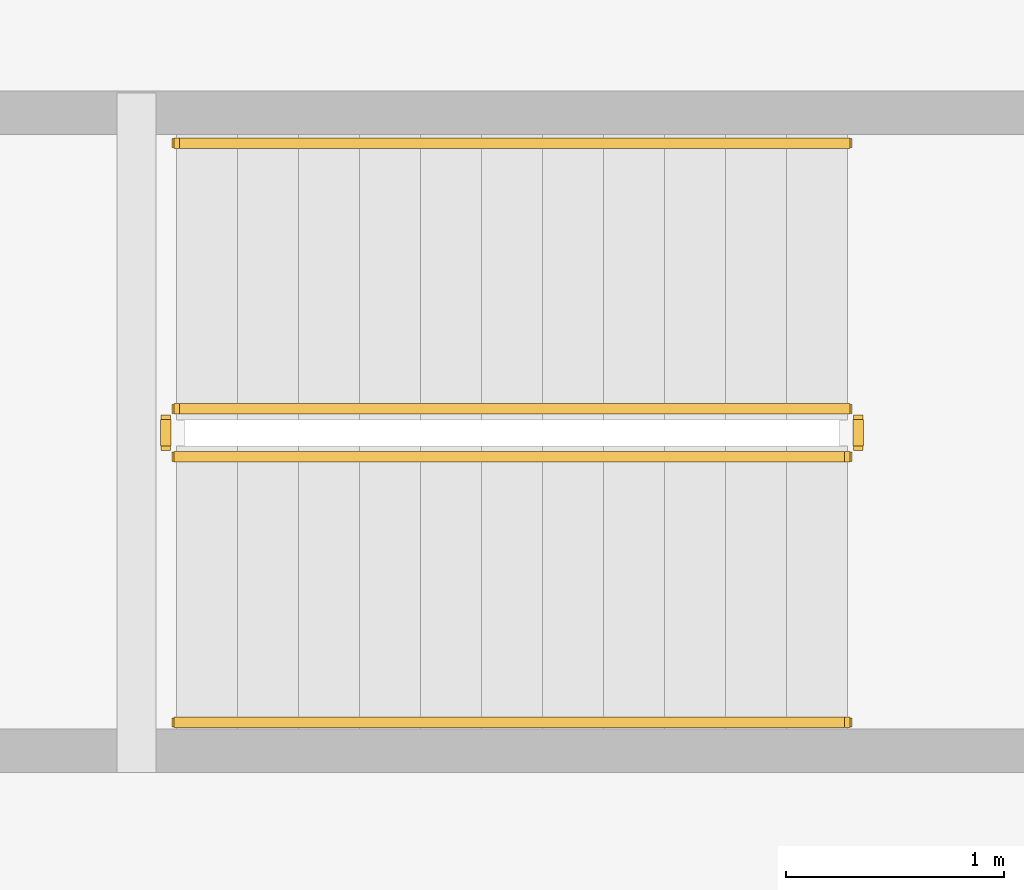
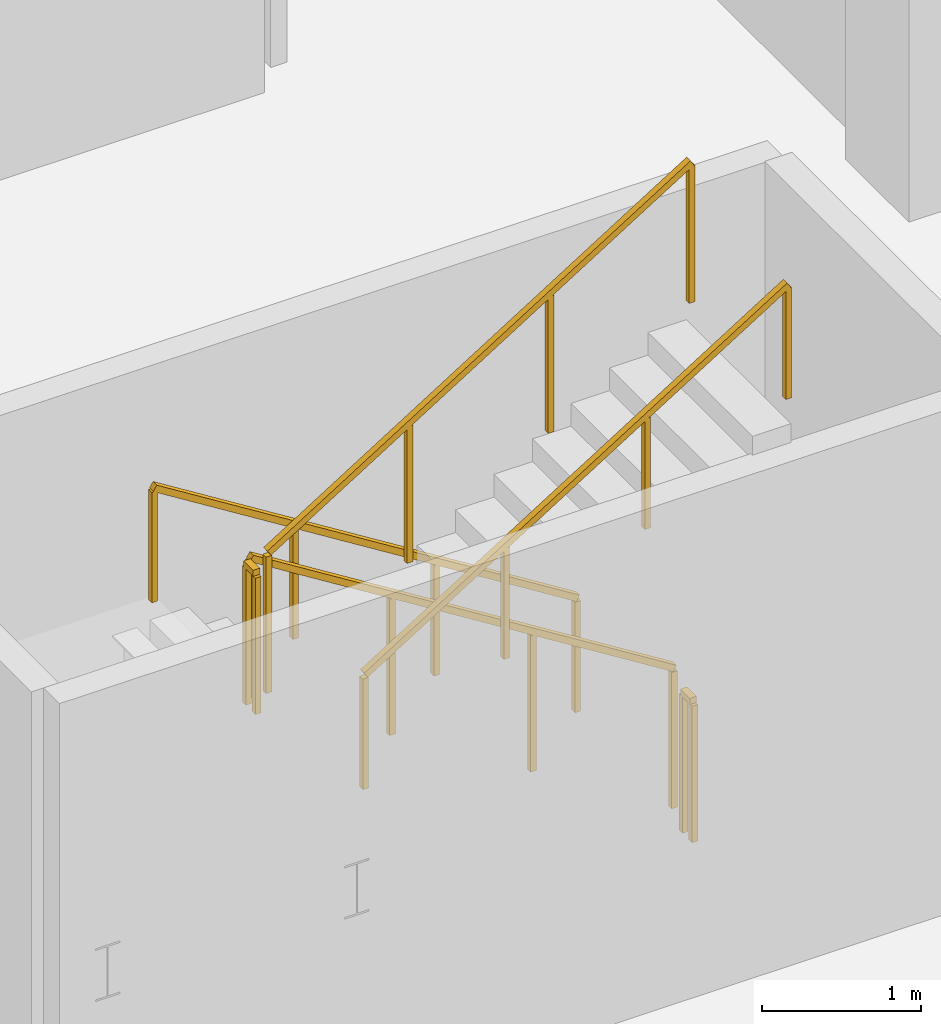
# One storey, part 17 of 21: 6 railings.
"""IFC4 building model written with IfcOpenShell, lengths in metres."""

from ifc_helpers import new_model, si_unit, direction, frame, origin, origin_2d, place, context, subcontext, project, spatial, rectangle, extrude, material, type_object, element, save


model = new_model("IFC4")

# Units and contexts
model_context = context("Model", 3, precision=1e-05, world=origin(), true_north=direction((0.0, 1.0)))
body_context = subcontext(model_context, "Body", "Model", "MODEL_VIEW")
ifc_project = project(units=[si_unit("LENGTHUNIT", "METRE"), si_unit("AREAUNIT", "SQUARE_METRE"), si_unit("VOLUMEUNIT", "CUBIC_METRE"), si_unit("PLANEANGLEUNIT", "RADIAN"), si_unit("MASSUNIT", "GRAM", prefix="KILO")], contexts=[model_context])

# Site, building, storey
site_placement = place(None, origin())
site = spatial("IfcSite", under=ifc_project, at=site_placement, CompositionType="ELEMENT")
building_placement = place(site_placement, origin())
building = spatial("IfcBuilding", under=site, at=building_placement, Name="Qhalaya Broadcast Tower", CompositionType="ELEMENT")
storey_placement = place(building_placement, frame((0.0, 0.0, 9.300048828125)))
storey = spatial("IfcBuildingStorey", under=building, at=storey_placement, Name="L02", CompositionType="ELEMENT", Elevation=9.300048828125)

# Railings
ifc_material = material(Name="Powder-Coated Galvanised Steel", Category="steel")
railing_type_1 = type_object("IfcRailingType", Name="Stair Wall Handrail 900", PredefinedType="HANDRAIL", material=ifc_material)
railing_1_placement = place(storey_placement, frame((-14.39990234375, -0.389892578125, 0.175048828125)))
element("IfcRailing", 1, at=railing_1_placement, inside=storey, type_object=railing_type_1, Name="L02 ST-P1 Stair Handrail 1", PredefinedType="HANDRAIL", context=body_context, shape_type="SweptSolid", body=[
    extrude(rectangle(XDim=0.048095703125, YDim=0.048095703125, at=origin_2d()), frame((0.0, 0.0, 0.8759765625), z_axis=(-0.848028513186, 0.0, 0.529950602248), x_axis=(0.0, -1.0, 0.0)), (0.0, 0.0, 1.0), 3.632080078125),
    extrude(rectangle(XDim=0.0419921875, YDim=0.0419921875, at=origin_2d()), origin(), (0.0, 0.0, 1.0), 0.849853515625),
    extrude(rectangle(XDim=0.0419921875, YDim=0.0419921875, at=origin_2d()), frame((-1.026611328125, 0.0, 0.6416015625)), (0.0, 0.0, 1.0), 0.849853515625),
    extrude(rectangle(XDim=0.0419921875, YDim=0.0419921875, at=origin_2d()), frame((-2.053466796875, 0.0, 1.283203125)), (0.0, 0.0, 1.0), 0.849853515625),
    extrude(rectangle(XDim=0.0419921875, YDim=0.0419921875, at=origin_2d()), frame((-3.080078125, 0.0, 1.9248046875)), (0.0, 0.0, 1.0), 0.849853515625),
])
railing_2_placement = place(storey_placement, frame((-17.47998046875, -3.050048828125, 2.27490234375)))
element("IfcRailing", 2, at=railing_2_placement, inside=storey, type_object=railing_type_1, Name="L02 ST-P1 Stair Handrail 2", PredefinedType="HANDRAIL", context=body_context, shape_type="SweptSolid", body=[
    extrude(rectangle(XDim=0.048095703125, YDim=0.048095703125, at=origin_2d()), frame((0.0, 0.0, 0.8759765625), z_axis=(0.847998304005, 0.0, 0.529998940003), x_axis=(0.0, 1.0, 0.0)), (0.0, 0.0, 1.0), 3.632080078125),
    extrude(rectangle(XDim=0.0419921875, YDim=0.0419921875, at=origin_2d()), origin(), (0.0, 0.0, 1.0), 0.849853515625),
    extrude(rectangle(XDim=0.0419921875, YDim=0.0419921875, at=origin_2d()), frame((1.026611328125, 0.0, 0.6416015625)), (0.0, 0.0, 1.0), 0.849853515625),
    extrude(rectangle(XDim=0.0419921875, YDim=0.0419921875, at=origin_2d()), frame((2.053466796875, 0.0, 1.283447265625)), (0.0, 0.0, 1.0), 0.849853515625),
    extrude(rectangle(XDim=0.0419921875, YDim=0.0419921875, at=origin_2d()), frame((3.080078125, 0.0, 1.925048828125)), (0.0, 0.0, 1.0), 0.849853515625),
])
railing_type_2 = type_object("IfcRailingType", Name="Stair Well & Landing Guardrail 1100", PredefinedType="GUARDRAIL", material=ifc_material)
railing_3_placement = place(storey_placement, frame((-14.39990234375, -1.610107421875, 0.175048828125)))
element("IfcRailing", 3, at=railing_3_placement, inside=storey, type_object=railing_type_2, Name="L02 ST-P1 Stair Guard 1", PredefinedType="GUARDRAIL", context=body_context, shape_type="SweptSolid", body=[
    extrude(rectangle(XDim=0.048095703125, YDim=0.048095703125, at=origin_2d()), frame((0.0, 0.0, 1.076171875), z_axis=(-0.848028513186, 0.0, 0.529950602248), x_axis=(0.0, -1.0, 0.0)), (0.0, 0.0, 1.0), 3.632080078125),
    extrude(rectangle(XDim=0.0419921875, YDim=0.0419921875, at=origin_2d()), origin(), (0.0, 0.0, 1.0), 1.050048828125),
    extrude(rectangle(XDim=0.0419921875, YDim=0.0419921875, at=origin_2d()), frame((-1.026611328125, 0.0, 0.6416015625)), (0.0, 0.0, 1.0), 1.050048828125),
    extrude(rectangle(XDim=0.0419921875, YDim=0.0419921875, at=origin_2d()), frame((-2.053466796875, 0.0, 1.283203125)), (0.0, 0.0, 1.0), 1.050048828125),
    extrude(rectangle(XDim=0.0419921875, YDim=0.0419921875, at=origin_2d()), frame((-3.080078125, 0.0, 1.9248046875)), (0.0, 0.0, 1.0), 1.050048828125),
])
railing_4_placement = place(storey_placement, frame((-17.530029296875, -1.659912109375, 2.099853515625)))
element("IfcRailing", 4, at=railing_4_placement, inside=storey, type_object=railing_type_2, Name="L02 ST-P1 Stair Guard 2", PredefinedType="GUARDRAIL", context=body_context, shape_type="SweptSolid", body=[
    extrude(rectangle(XDim=0.048095703125, YDim=0.048095703125, at=origin_2d()), frame((0.0, 0.0, 1.076171875), z_axis=(0.0, -1.0, 0.0), x_axis=(1.0, 0.0, 0.0)), (0.0, 0.0, 1.0), 0.1201171875),
    extrude(rectangle(XDim=0.0419921875, YDim=0.0419921875, at=origin_2d()), origin(), (0.0, 0.0, 1.0), 1.050048828125),
    extrude(rectangle(XDim=0.0419921875, YDim=0.0419921875, at=origin_2d()), frame((0.0, -0.1201171875, 0.0)), (0.0, 0.0, 1.0), 1.050048828125),
])
railing_5_placement = place(storey_placement, frame((-17.47998046875, -1.830078125, 2.27490234375)))
element("IfcRailing", 5, at=railing_5_placement, inside=storey, type_object=railing_type_2, Name="L02 ST-P1 Stair Guard 3", PredefinedType="GUARDRAIL", context=body_context, shape_type="SweptSolid", body=[
    extrude(rectangle(XDim=0.048095703125, YDim=0.048095703125, at=origin_2d()), frame((0.0, 0.0, 1.076171875), z_axis=(0.847998304005, 0.0, 0.529998940003), x_axis=(0.0, 1.0, 0.0)), (0.0, 0.0, 1.0), 3.632080078125),
    extrude(rectangle(XDim=0.0419921875, YDim=0.0419921875, at=origin_2d()), origin(), (0.0, 0.0, 1.0), 1.050048828125),
    extrude(rectangle(XDim=0.0419921875, YDim=0.0419921875, at=origin_2d()), frame((1.026611328125, 0.0, 0.6416015625)), (0.0, 0.0, 1.0), 1.050048828125),
    extrude(rectangle(XDim=0.0419921875, YDim=0.0419921875, at=origin_2d()), frame((2.053466796875, 0.0, 1.283447265625)), (0.0, 0.0, 1.0), 1.050048828125),
    extrude(rectangle(XDim=0.0419921875, YDim=0.0419921875, at=origin_2d()), frame((3.080078125, 0.0, 1.925048828125)), (0.0, 0.0, 1.0), 1.050048828125),
])
railing_6_placement = place(storey_placement, frame((-14.35009765625, -1.659912109375, 0.0)))
element("IfcRailing", 6, at=railing_6_placement, inside=storey, type_object=railing_type_2, Name="L02 ST-P1 Stair Guard 4", PredefinedType="GUARDRAIL", context=body_context, shape_type="SweptSolid", body=[
    extrude(rectangle(XDim=0.048095703125, YDim=0.048095703125, at=origin_2d()), frame((0.0, 0.0, 1.076171875), z_axis=(0.0, -1.0, 0.0), x_axis=(1.0, 0.0, 0.0)), (0.0, 0.0, 1.0), 0.1201171875),
    extrude(rectangle(XDim=0.0419921875, YDim=0.0419921875, at=origin_2d()), origin(), (0.0, 0.0, 1.0), 1.050048828125),
    extrude(rectangle(XDim=0.0419921875, YDim=0.0419921875, at=origin_2d()), frame((0.0, -0.1201171875, 0.0)), (0.0, 0.0, 1.0), 1.050048828125),
])

save(model, "model.ifc")
